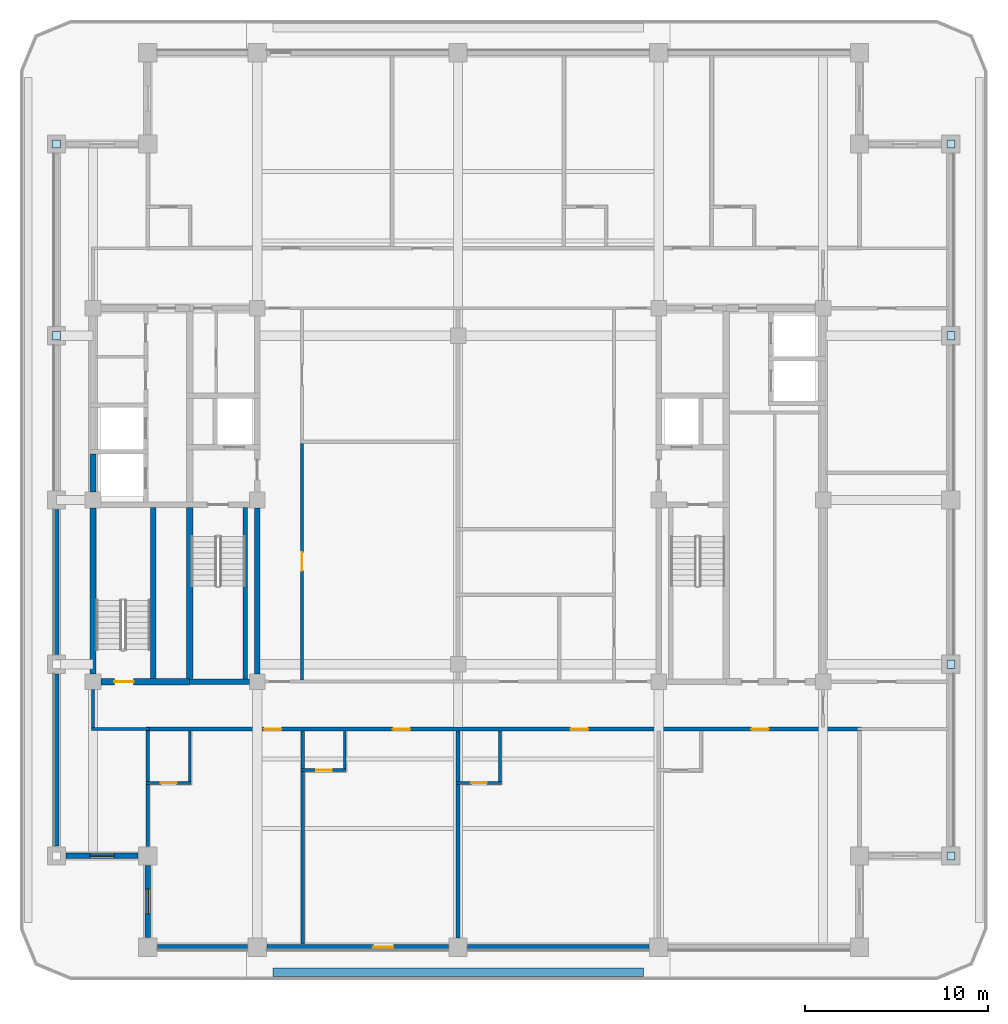
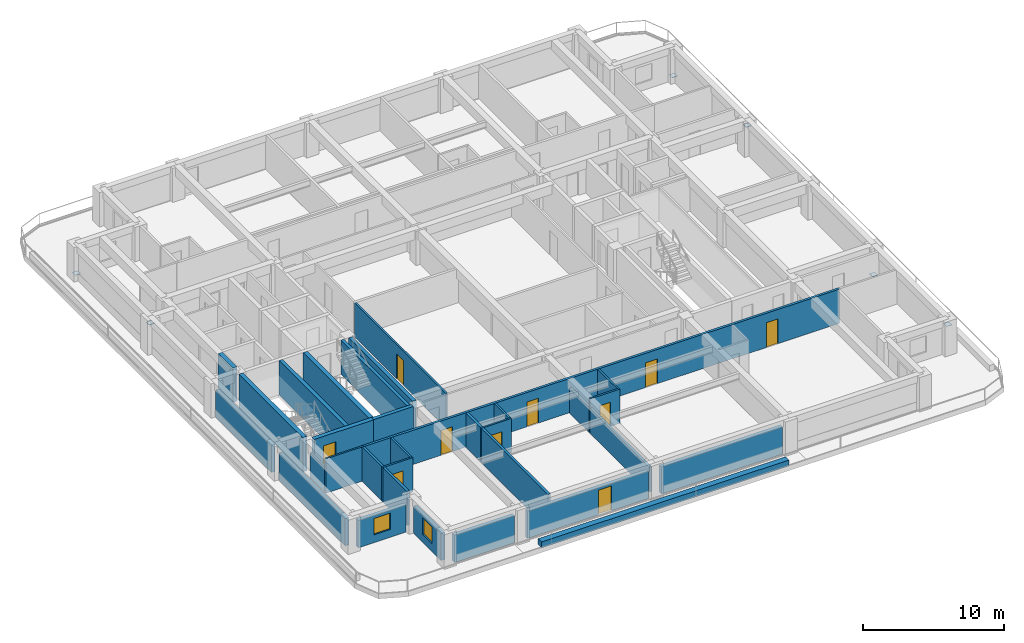
# One storey, part 2 of 13: 32 walls, 10 doors, 6 plates, 2 windows, 12 openings.
"""IFC4 building model written with IfcOpenShell, lengths in metres."""

import ifcopenshell
import ifcopenshell.guid

model = None  # the IFC model being written
_history = None  # IfcOwnerHistory: only IFC2X3 demands one
_inside = {}  # id of a spatial element -> (the spatial element, [elements in it])
_under = {}  # id of a project, library or spatial element -> (it, [spatial elements below it])
_declared = {}  # id of a project -> (the project, [libraries it declares])
_typed = {}  # id of a type object -> (the type object, [elements of that type])
_made_of = {}  # id of a material, layer set ... -> (it, [elements and type objects made of it])


def new_model(schema):
    """Start an empty IFC model of exactly this schema.

    Asked for "IFC4X3", IfcOpenShell would pick the latest addendum, in which some entities
    have other attributes; the version numbers below select the first issue.
    IFC2X3 requires an IfcOwnerHistory on every rooted entity: one is made here for all.
    """
    global model, _history
    if schema == "IFC4X3":
        model = ifcopenshell.file(schema_version=(4, 3, 0, 0))
    else:
        model = ifcopenshell.file(schema=schema)
    _inside.clear()
    _under.clear()
    _declared.clear()
    _typed.clear()
    _made_of.clear()
    _history = None
    if model.schema == "IFC2X3":
        org = make("IfcOrganization", Name="unknown")
        user = make(
            "IfcPersonAndOrganization",
            ThePerson=make("IfcPerson", FamilyName="unknown"),
            TheOrganization=org,
        )
        app = make(
            "IfcApplication",
            ApplicationDeveloper=org,
            Version="unknown",
            ApplicationFullName="unknown",
            ApplicationIdentifier="unknown",
        )
        _history = make(
            "IfcOwnerHistory",
            OwningUser=user,
            OwningApplication=app,
            ChangeAction="ADDED",
            CreationDate=0,
        )
    return model


def make(cls, **values):
    """One entity of the class cls with the attributes given. An attribute that is None is left unset."""
    return model.create_entity(
        cls, **{name: value for name, value in values.items() if value is not None}
    )


def rooted(cls, **values):
    """An entity with a GlobalId (a new one), such as an element, a storey or a relation."""
    return make(cls, GlobalId=ifcopenshell.guid.new(), OwnerHistory=_history, **values)


def si_unit(unit_type, name, prefix=None):
    """IfcSIUnit, for example si_unit("LENGTHUNIT", "METRE", prefix="MILLI")."""
    return make("IfcSIUnit", UnitType=unit_type, Prefix=prefix, Name=name)


def assignment(units):
    """IfcUnitAssignment: the units of a project."""
    return None if units is None else make("IfcUnitAssignment", Units=units)


def point(xyz):
    """IfcCartesianPoint."""
    return None if xyz is None else make("IfcCartesianPoint", Coordinates=xyz)


def direction(xyz):
    """IfcDirection."""
    return None if xyz is None else make("IfcDirection", DirectionRatios=xyz)


def frame(location, z_axis=None, x_axis=None):
    """IfcAxis2Placement3D, a coordinate frame: its origin and axes. An axis left out is left unset."""
    return make(
        "IfcAxis2Placement3D",
        Location=point(location),
        Axis=direction(z_axis),
        RefDirection=direction(x_axis),
    )


def frame_2d(location, x_axis=None):
    """IfcAxis2Placement2D, a coordinate frame in the plane: its origin and x axis."""
    return make(
        "IfcAxis2Placement2D", Location=point(location), RefDirection=direction(x_axis)
    )


def origin():
    """The frame at (0, 0, 0) with its axes left unset."""
    return frame((0.0, 0.0, 0.0))


def origin_2d():
    """The frame at (0, 0) in the plane with its x axis left unset."""
    return frame_2d((0.0, 0.0))


def place(relative_to, where):
    """IfcLocalPlacement: puts the frame where relative to a parent placement (None: the world)."""
    return make(
        "IfcLocalPlacement", PlacementRelTo=relative_to, RelativePlacement=where
    )


def context(
    kind, dimensions, precision=None, world=None, true_north=None, identifier=None
):
    """IfcGeometricRepresentationContext, for example the 3D "Model" context."""
    return make(
        "IfcGeometricRepresentationContext",
        ContextIdentifier=identifier,
        ContextType=kind,
        CoordinateSpaceDimension=dimensions,
        Precision=precision,
        WorldCoordinateSystem=world,
        TrueNorth=true_north,
    )


def subcontext(parent, identifier, kind, view, scale=None):
    """IfcGeometricRepresentationSubContext, for example "Body" below "Model"."""
    return make(
        "IfcGeometricRepresentationSubContext",
        ContextIdentifier=identifier,
        ContextType=kind,
        ParentContext=parent,
        TargetScale=scale,
        TargetView=view,
    )


def project(units=None, contexts=None):
    """IfcProject with its units and contexts."""
    return rooted(
        "IfcProject",
        Name="project",
        RepresentationContexts=contexts,
        UnitsInContext=assignment(units),
    )


def spatial(cls, under=None, at=None, **own):
    """A site, building, storey or space (cls), placed at a placement, below another one or the project."""
    s = rooted(cls, ObjectPlacement=at, **own)
    if under is not None:
        _under.setdefault(under.id(), (under, []))[1].append(s)
    return s


def profile(cls, at=None, kind="AREA", **sizes):
    """A parametric profile (cls). Its sizes go by their IFC names, for example OverallWidth=200.0."""
    return make(cls, ProfileType=kind, Position=at, **sizes)


def rectangle(**sizes):
    """IfcRectangleProfileDef."""
    return profile("IfcRectangleProfileDef", **sizes)


def extrude(swept, where, along, depth):
    """IfcExtrudedAreaSolid: the profile swept, set in the frame where, extruded along a direction by depth."""
    return make(
        "IfcExtrudedAreaSolid",
        SweptArea=swept,
        Position=where,
        ExtrudedDirection=direction(along),
        Depth=depth,
    )


def shape(context_of_items, identifier, shape_type, items):
    """IfcShapeRepresentation: the items that make up one representation, for example the "Body"."""
    return make(
        "IfcShapeRepresentation",
        ContextOfItems=context_of_items,
        RepresentationIdentifier=identifier,
        RepresentationType=shape_type,
        Items=items,
    )


def material(Name=None, Category=None):
    """IfcMaterial."""
    return make("IfcMaterial", Name=Name, Category=Category)


def layer(
    of_material, thickness, ventilated=None, Name=None, Category=None, Priority=None
):
    """IfcMaterialLayer: one layer of a wall or slab, of a material (None: an air gap)."""
    return make(
        "IfcMaterialLayer",
        Material=of_material,
        LayerThickness=thickness,
        IsVentilated=ventilated,
        Name=Name,
        Category=Category,
        Priority=Priority,
    )


def layer_set(layers, Name=None):
    """IfcMaterialLayerSet."""
    return make("IfcMaterialLayerSet", MaterialLayers=layers, LayerSetName=Name)


def made_of(thing, what):
    """Note that an element or type object is made of a material, layer set ...; save() writes the relation."""
    if what is not None:
        _made_of.setdefault(what.id(), (what, []))[1].append(thing)
    return thing


def type_object(cls, material=None, **own):
    """A type object (cls), such as IfcWallType, which elements share."""
    return made_of(rooted(cls, **own), material)


def element(
    cls,
    number,
    at=None,
    inside=None,
    cuts=None,
    type_object=None,
    material=None,
    context=None,
    identifier="Body",
    shape_type=None,
    held_by="IfcProductDefinitionShape",
    body=None,
    shapes=None,
    **own,
):
    """One element of the class cls, such as IfcWall. Its Tag is "e" and its number.

    at: its placement. inside: the storey or other place that contains it. cuts: it is an
    opening in that element (IfcRelVoidsElement). A single representation is given by context,
    identifier, shape_type and body (its items); several are given by shapes. held_by: the class
    of the entity that holds the representations. save() writes the other relations.
    """
    e = rooted(cls, Tag="e%d" % number, ObjectPlacement=at, **own)
    if body is not None:
        shapes = [shape(context, identifier, shape_type, body)]
    if shapes is not None:
        e.Representation = make(held_by, Representations=shapes)
    if inside is not None:
        _inside.setdefault(inside.id(), (inside, []))[1].append(e)
    if cuts is not None:
        rooted(
            "IfcRelVoidsElement", RelatingBuildingElement=cuts, RelatedOpeningElement=e
        )
    if type_object is not None:
        _typed.setdefault(type_object.id(), (type_object, []))[1].append(e)
    return made_of(e, material)


def fill(opening, filler):
    """IfcRelFillsElement: the door or window that sits in an opening."""
    return rooted(
        "IfcRelFillsElement",
        RelatingOpeningElement=opening,
        RelatedBuildingElement=filler,
    )


def aggregate(whole, parts):
    """IfcRelAggregates: a whole, such as a stair, and the parts it consists of."""
    return rooted("IfcRelAggregates", RelatingObject=whole, RelatedObjects=parts)


def save(model, path):
    """Write the relations noted so far, then the file.

    IfcRelAggregates (storeys below a building ...), IfcRelContainedInSpatialStructure (elements
    in a storey), IfcRelDefinesByType, IfcRelAssociatesMaterial and IfcRelDeclares: one each for
    every whole, place, type object, material and project.
    """
    for whole, parts in _under.values():
        aggregate(whole, parts)
    for where, things in _inside.values():
        rooted(
            "IfcRelContainedInSpatialStructure",
            RelatedElements=things,
            RelatingStructure=where,
        )
    for kind, things in _typed.values():
        rooted("IfcRelDefinesByType", RelatedObjects=things, RelatingType=kind)
    for what, things in _made_of.values():
        rooted("IfcRelAssociatesMaterial", RelatedObjects=things, RelatingMaterial=what)
    for by, libraries in _declared.values():
        rooted("IfcRelDeclares", RelatingContext=by, RelatedDefinitions=libraries)
    model.write(path)


model = new_model("IFC4")

# Units and contexts
model_context = context("Model", 3, precision=1e-05, world=origin(), true_north=direction((0.0, 1.0)))
body_context = subcontext(model_context, "Body", "Model", "MODEL_VIEW")
ifc_project = project(units=[si_unit("LENGTHUNIT", "METRE"), si_unit("AREAUNIT", "SQUARE_METRE"), si_unit("VOLUMEUNIT", "CUBIC_METRE"), si_unit("PLANEANGLEUNIT", "RADIAN"), si_unit("MASSUNIT", "GRAM", prefix="KILO")], contexts=[model_context])

# Site, building, storey
site_placement = place(None, origin())
site = spatial("IfcSite", under=ifc_project, at=site_placement, CompositionType="ELEMENT")
building_placement = place(site_placement, origin())
building = spatial("IfcBuilding", under=site, at=building_placement, Name="Zulmaris Gate Convention Tower", CompositionType="ELEMENT")
storey_placement = place(building_placement, frame((0.0, 0.0, 183.059814453125)))
storey = spatial("IfcBuildingStorey", under=building, at=storey_placement, Name="L47", CompositionType="ELEMENT", Elevation=183.059814453125)

# Plates
ifc_material_1 = material(Name="Steel S460", Category="steel")
ifc_layer_1 = layer(ifc_material_1, 0.02490234375, Name="Steel S460")
ifc_layer_set_1 = layer_set([ifc_layer_1], Name="Steel S460")
plate_type = type_object("IfcPlateType", Name="NP-CAP-440", PredefinedType="USERDEFINED", material=ifc_layer_set_1)
for number, where, z_axis, x_axis, name in (
    (1, (-22.0, 19.5, 0.28759765625), (0.0, 0.0, 1.0), (1.0, 0.0, 0.0), "L47 Steel Node Plate PBR-L47-NW-W-CAP"),
    (2, (-22.0, 9.0, 2.3427734375), (0.0, 0.0, 1.0), (1.0, 0.0, 0.0), "L47 Steel Node Plate PBR-L47-NW-W-CAPB"),
    (3, (27.0, -9.0, 0.28759765625), (0.0, 0.0, 1.0), (1.0, 0.0, 0.0), "L47 Steel Node Plate PBR-L47-SE-E-CAP"),
    (4, (27.0, -19.5, 2.3427734375), (0.0, 0.0, 1.0), (1.0, 0.0, 0.0), "L47 Steel Node Plate PBR-L47-SE-E-CAPB"),
    (5, (27.0, 19.5, 0.28759765625), (0.0, 0.0, 1.0), (1.0, 0.0, 0.0), "L47 Steel Node Plate PBR-L47-NE-E-CAP"),
    (6, (27.0, 9.0, 2.3427734375), (0.0, 0.0, 1.0), (1.0, 0.0, 0.0), "L47 Steel Node Plate PBR-L47-NE-E-CAPB"),
):
    element("IfcPlate", number, at=place(storey_placement, frame(where, z_axis=z_axis, x_axis=x_axis)), inside=storey, type_object=plate_type, Name=name, ObjectType="FLANGE PLATE", PredefinedType="USERDEFINED", context=body_context, shape_type="SweptSolid", body=[
        extrude(rectangle(XDim=0.43994140625, YDim=0.43994140625, at=origin_2d()), origin(), (0.0, 0.0, 1.0), 0.02490234375),
    ])

# Walls
ifc_material_2 = material(Name="Concrete C50/60", Category="concrete")
ifc_layer_2 = layer(ifc_material_2, 0.25, Name="Concrete C50/60")
ifc_layer_set_2 = layer_set([ifc_layer_2], Name="Concrete C50/60")
wall_type_1 = type_object("IfcWallType", Name="CORE-250", PredefinedType="SOLIDWALL", material=ifc_layer_set_2)
wall_1_placement = place(storey_placement, frame((-11.64990234375, -9.798095703125, 0.0), z_axis=(0.0, 0.0, 1.0), x_axis=(0.0, 1.0, 0.0)))
element("IfcWall", 7, at=wall_1_placement, inside=storey, type_object=wall_type_1, Name="WL-L47-054", PredefinedType="SOLIDWALL", context=body_context, shape_type="SweptSolid", body=[
    extrude(rectangle(XDim=9.39599609375, YDim=0.25, at=frame_2d((4.697998046875, 0.0))), origin(), (0.0, 0.0, 1.0), 2.97509765625),
])
ifc_layer_3 = layer(ifc_material_2, 0.300048828125, Name="Concrete C50/60")
ifc_layer_set_3 = layer_set([ifc_layer_3], Name="Concrete C50/60")
wall_type_2 = type_object("IfcWallType", Name="CORE-300", PredefinedType="SHEAR", material=ifc_layer_set_3)
wall_2_placement = place(storey_placement, frame((-14.699951171875, -9.949951171875, 0.0), z_axis=(0.0, 0.0, 1.0), x_axis=(1.0, 0.0, 0.0)))
element("IfcWall", 8, at=wall_2_placement, inside=storey, type_object=wall_type_2, Name="WL-L47-002", PredefinedType="SHEAR", context=body_context, shape_type="SweptSolid", body=[
    extrude(rectangle(XDim=3.27099609375, YDim=0.300048828125, at=frame_2d((1.635498046875, 0.0))), origin(), (0.0, 0.0, 1.0), 2.97509765625),
])
wall_3_placement = place(storey_placement, frame((-16.699951171875, -9.77294921875, 0.0), z_axis=(0.0, 0.0, 1.0), x_axis=(0.0, 1.0, 0.0)))
element("IfcWall", 9, at=wall_3_placement, inside=storey, type_object=wall_type_2, Name="WL-L47-048", PredefinedType="SHEAR", context=body_context, shape_type="SweptSolid", body=[
    extrude(rectangle(XDim=9.370849609375, YDim=0.300048828125, at=frame_2d((4.685546875, 0.0))), origin(), (0.0, 0.0, 1.0), 2.97509765625),
])
wall_4_placement = place(storey_placement, frame((-11.0, -9.52099609375, 0.0), z_axis=(0.0, 0.0, 1.0), x_axis=(0.0, 1.0, 0.0)))
element("IfcWall", 10, at=wall_4_placement, inside=storey, type_object=wall_type_2, Name="WL-L47-055", PredefinedType="SHEAR", context=body_context, shape_type="SweptSolid", body=[
    extrude(rectangle(XDim=9.092041015625, YDim=0.300048828125, at=frame_2d((4.5458984375, 0.0))), origin(), (0.0, 0.0, 1.0), 2.97509765625),
])

# Wall, opening, door
ifc_material_3 = material(Name="Concrete C55/67", Category="concrete")
ifc_layer_4 = layer(ifc_material_3, 0.35009765625, Name="Concrete C55/67")
ifc_layer_set_4 = layer_set([ifc_layer_4], Name="Concrete C55/67")
wall_type_3 = type_object("IfcWallType", Name="CORE-350", PredefinedType="SHEAR", material=ifc_layer_set_4)
wall_5_placement = place(storey_placement, frame((-19.571044921875, -9.949951171875, 0.0), z_axis=(0.0, 0.0, 1.0), x_axis=(1.0, 0.0, 0.0)))
wall_5 = element("IfcWall", 11, at=wall_5_placement, inside=storey, type_object=wall_type_3, Name="WL-L47-001", PredefinedType="SHEAR", context=body_context, shape_type="SweptSolid", body=[
    extrude(rectangle(XDim=4.87109375, YDim=0.35009765625, at=frame_2d((2.435546875, 0.0))), origin(), (0.0, 0.0, 1.0), 2.97509765625),
])
opening_1_placement = place(wall_5_placement, frame((0.74609375, 0.0, 0.0)))
opening_1 = element("IfcOpeningElement", 12, at=opening_1_placement, cuts=wall_5, Name="Opening D-09", PredefinedType="OPENING", context=body_context, shape_type="SweptSolid", body=[
    extrude(rectangle(XDim=1.050048828125, YDim=2.14990234375, at=frame_2d((0.52490234375, 1.074951171875))), frame((0.0, 0.18505859375, 0.0), z_axis=(0.0, -1.0, 0.0), x_axis=(1.0, 0.0, 0.0)), (0.0, 0.0, 1.0), 0.3701171875),
])
ifc_material_4 = material(Name="Fire-Rated Steel", Category="steel")
door_type_1 = type_object("IfcDoorType", Name="DR-1050-FD", OperationType="NOTDEFINED", PredefinedType="DOOR", material=ifc_material_4)
door_1_placement = place(opening_1_placement, origin())
door_1 = element("IfcDoor", 13, at=door_1_placement, inside=storey, type_object=door_type_1, Name="L47 Exit Stair ST-3 Door 10", OperationType="SINGLE_SWING_LEFT", OverallHeight=2.14990234375, OverallWidth=1.050048828125, PredefinedType="DOOR", context=body_context, shape_type="SweptSolid", body=[
    extrude(rectangle(XDim=1.050048828125, YDim=2.14990234375, at=frame_2d((0.52490234375, 1.074951171875))), frame((0.0, 0.02490234375, 0.0), z_axis=(0.0, -1.0, 0.0), x_axis=(1.0, 0.0, 0.0)), (0.0, 0.0, 1.0), 0.050048828125),
])
fill(opening_1, door_1)

# Walls
wall_6_placement = place(storey_placement, frame((-20.0, -9.52099609375, 0.0), z_axis=(0.0, 0.0, 1.0), x_axis=(0.0, 1.0, 0.0)))
element("IfcWall", 14, at=wall_6_placement, inside=storey, type_object=wall_type_3, Name="WL-L47-042", PredefinedType="SHEAR", context=body_context, shape_type="SweptSolid", body=[
    extrude(rectangle(XDim=9.092041015625, YDim=0.35009765625, at=frame_2d((4.5458984375, 0.0))), origin(), (0.0, 0.0, 1.0), 2.97509765625),
])
wall_7_placement = place(storey_placement, frame((-20.0, 0.428955078125, 0.0), z_axis=(0.0, 0.0, 1.0), x_axis=(0.0, 1.0, 0.0)))
element("IfcWall", 15, at=wall_7_placement, inside=storey, type_object=wall_type_3, Name="WL-L47-043", PredefinedType="SHEAR", context=body_context, shape_type="SweptSolid", body=[
    extrude(rectangle(XDim=2.093994140625, YDim=0.35009765625, at=frame_2d((1.046875, 0.0))), origin(), (0.0, 0.0, 1.0), 2.97509765625),
])
wall_8_placement = place(storey_placement, frame((-14.699951171875, -9.77294921875, 0.0), z_axis=(0.0, 0.0, 1.0), x_axis=(0.0, 1.0, 0.0)))
element("IfcWall", 16, at=wall_8_placement, inside=storey, type_object=wall_type_3, Name="WL-L47-049", PredefinedType="SHEAR", context=body_context, shape_type="SweptSolid", body=[
    extrude(rectangle(XDim=9.370849609375, YDim=0.35009765625, at=frame_2d((4.685546875, 0.0))), origin(), (0.0, 0.0, 1.0), 2.97509765625),
])

# Wall, opening, door
ifc_material_5 = material(Name="Gypsum Metal Stud Partition")
ifc_layer_5 = layer(ifc_material_5, 0.14990234375, Name="Gypsum Metal Stud Partition")
ifc_layer_set_5 = layer_set([ifc_layer_5], Name="Gypsum Metal Stud Partition")
wall_type_4 = type_object("IfcWallType", Name="PART-150", PredefinedType="PARTITIONING", material=ifc_layer_set_5)
wall_9_placement = place(storey_placement, frame((-17.10009765625, -15.5, 0.0), z_axis=(0.0, 0.0, 1.0), x_axis=(1.0, 0.0, 0.0)))
wall_9 = element("IfcWall", 17, at=wall_9_placement, inside=storey, type_object=wall_type_4, Name="WL-L47-019", PredefinedType="PARTITIONING", context=body_context, shape_type="SweptSolid", body=[
    extrude(rectangle(XDim=2.47509765625, YDim=0.14990234375, at=frame_2d((1.237548828125, 0.0))), origin(), (0.0, 0.0, 1.0), 2.97509765625),
])
opening_2_placement = place(wall_9_placement, frame((0.824951171875, 0.0, 0.0)))
opening_2 = element("IfcOpeningElement", 18, at=opening_2_placement, cuts=wall_9, Name="Opening D-17", PredefinedType="OPENING", context=body_context, shape_type="SweptSolid", body=[
    extrude(rectangle(XDim=0.85009765625, YDim=2.10009765625, at=frame_2d((0.425048828125, 1.050048828125))), frame((0.0, 0.0849609375, 0.0), z_axis=(0.0, -1.0, 0.0), x_axis=(1.0, 0.0, 0.0)), (0.0, 0.0, 1.0), 0.169921875),
])
ifc_material_6 = material(Name="Moisture-Resistant Hardwood Timber", Category="wood")
door_type_2 = type_object("IfcDoorType", Name="DR-850", OperationType="NOTDEFINED", PredefinedType="DOOR", material=ifc_material_6)
door_2_placement = place(opening_2_placement, origin())
door_2 = element("IfcDoor", 19, at=door_2_placement, inside=storey, type_object=door_type_2, Name="L47 En-Suite Door 33", OperationType="SINGLE_SWING_RIGHT", OverallHeight=2.10009765625, OverallWidth=0.85009765625, PredefinedType="DOOR", context=body_context, shape_type="SweptSolid", body=[
    extrude(rectangle(XDim=0.85009765625, YDim=2.10009765625, at=frame_2d((0.425048828125, 1.050048828125))), frame((0.0, 0.02490234375, 0.0), z_axis=(0.0, -1.0, 0.0), x_axis=(1.0, 0.0, 0.0)), (0.0, 0.0, 1.0), 0.050048828125),
])
fill(opening_2, door_2)

wall_10_placement = place(storey_placement, frame((-0.10009765625, -15.5, 0.0), z_axis=(0.0, 0.0, 1.0), x_axis=(1.0, 0.0, 0.0)))
wall_10 = element("IfcWall", 20, at=wall_10_placement, inside=storey, type_object=wall_type_4, Name="WL-L47-020", PredefinedType="PARTITIONING", context=body_context, shape_type="SweptSolid", body=[
    extrude(rectangle(XDim=2.47509765625, YDim=0.14990234375, at=frame_2d((1.237548828125, 0.0))), origin(), (0.0, 0.0, 1.0), 2.97509765625),
])
opening_3_placement = place(wall_10_placement, frame((0.824951171875, 0.0, 0.0)))
opening_3 = element("IfcOpeningElement", 21, at=opening_3_placement, cuts=wall_10, Name="Opening D-17", PredefinedType="OPENING", context=body_context, shape_type="SweptSolid", body=[
    extrude(rectangle(XDim=0.85009765625, YDim=2.10009765625, at=frame_2d((0.425048828125, 1.050048828125))), frame((0.0, 0.0849609375, 0.0), z_axis=(0.0, -1.0, 0.0), x_axis=(1.0, 0.0, 0.0)), (0.0, 0.0, 1.0), 0.169921875),
])
door_3_placement = place(opening_3_placement, origin())
door_3 = element("IfcDoor", 22, at=door_3_placement, inside=storey, type_object=door_type_2, Name="L47 En-Suite Door 37", OperationType="SINGLE_SWING_RIGHT", OverallHeight=2.10009765625, OverallWidth=0.85009765625, PredefinedType="DOOR", context=body_context, shape_type="SweptSolid", body=[
    extrude(rectangle(XDim=0.85009765625, YDim=2.10009765625, at=frame_2d((0.425048828125, 1.050048828125))), frame((0.0, 0.02490234375, 0.0), z_axis=(0.0, -1.0, 0.0), x_axis=(1.0, 0.0, 0.0)), (0.0, 0.0, 1.0), 0.050048828125),
])
fill(opening_3, door_3)

wall_11_placement = place(storey_placement, frame((-8.60009765625, -14.800048828125, 0.0), z_axis=(0.0, 0.0, 1.0), x_axis=(1.0, 0.0, 0.0)))
wall_11 = element("IfcWall", 23, at=wall_11_placement, inside=storey, type_object=wall_type_4, Name="WL-L47-021", PredefinedType="PARTITIONING", context=body_context, shape_type="SweptSolid", body=[
    extrude(rectangle(XDim=2.47509765625, YDim=0.14990234375, at=frame_2d((1.237548828125, 0.0))), origin(), (0.0, 0.0, 1.0), 2.97509765625),
])
opening_4_placement = place(wall_11_placement, frame((0.824951171875, 0.0, 0.0)))
opening_4 = element("IfcOpeningElement", 24, at=opening_4_placement, cuts=wall_11, Name="Opening D-17", PredefinedType="OPENING", context=body_context, shape_type="SweptSolid", body=[
    extrude(rectangle(XDim=0.85009765625, YDim=2.10009765625, at=frame_2d((0.425048828125, 1.050048828125))), frame((0.0, 0.0849609375, 0.0), z_axis=(0.0, -1.0, 0.0), x_axis=(1.0, 0.0, 0.0)), (0.0, 0.0, 1.0), 0.169921875),
])
door_4_placement = place(opening_4_placement, origin())
door_4 = element("IfcDoor", 25, at=door_4_placement, inside=storey, type_object=door_type_2, Name="L47 En-Suite Door 35", OperationType="SINGLE_SWING_RIGHT", OverallHeight=2.10009765625, OverallWidth=0.85009765625, PredefinedType="DOOR", context=body_context, shape_type="SweptSolid", body=[
    extrude(rectangle(XDim=0.85009765625, YDim=2.10009765625, at=frame_2d((0.425048828125, 1.050048828125))), frame((0.0, 0.02490234375, 0.0), z_axis=(0.0, -1.0, 0.0), x_axis=(1.0, 0.0, 0.0)), (0.0, 0.0, 1.0), 0.050048828125),
])
fill(opening_4, door_4)

# Walls
wall_12_placement = place(storey_placement, frame((-20.074951171875, -12.550048828125, 0.0), z_axis=(0.0, 0.0, 1.0), x_axis=(1.0, 0.0, 0.0)))
element("IfcWall", 26, at=wall_12_placement, inside=storey, type_object=wall_type_4, Name="WL-L47-023", PredefinedType="PARTITIONING", context=body_context, shape_type="SweptSolid", body=[
    extrude(rectangle(XDim=3.175048828125, YDim=0.14990234375, at=frame_2d((1.58740234375, 0.0))), origin(), (0.0, 0.0, 1.0), 2.97509765625),
])
wall_13_placement = place(storey_placement, frame((-20.0, -12.471923828125, 0.0), z_axis=(0.0, 0.0, 1.0), x_axis=(0.0, 1.0, 0.0)))
element("IfcWall", 27, at=wall_13_placement, inside=storey, type_object=wall_type_4, Name="WL-L47-074", PredefinedType="PARTITIONING", context=body_context, shape_type="SweptSolid", body=[
    extrude(rectangle(XDim=2.0908203125, YDim=0.14990234375, at=frame_2d((1.04541015625, 0.0))), origin(), (0.0, 0.0, 1.0), 2.167236328125),
])
wall_14_placement = place(storey_placement, frame((-14.699951171875, -15.422119140625, 0.0), z_axis=(0.0, 0.0, 1.0), x_axis=(0.0, 1.0, 0.0)))
element("IfcWall", 28, at=wall_14_placement, inside=storey, type_object=wall_type_4, Name="WL-L47-082", PredefinedType="PARTITIONING", context=body_context, shape_type="SweptSolid", body=[
    extrude(rectangle(XDim=2.76904296875, YDim=0.14990234375, at=frame_2d((1.384521484375, 0.0))), origin(), (0.0, 0.0, 1.0), 2.97509765625),
])

# Wall, opening, door
wall_15_placement = place(storey_placement, frame((-8.550048828125, -9.8720703125, 0.0), z_axis=(0.0, 0.0, 1.0), x_axis=(0.0, 1.0, 0.0)))
wall_15 = element("IfcWall", 29, at=wall_15_placement, inside=storey, type_object=wall_type_4, Name="WL-L47-085", PredefinedType="PARTITIONING", context=body_context, shape_type="SweptSolid", body=[
    extrude(rectangle(XDim=12.968994140625, YDim=0.14990234375, at=frame_2d((6.484375, 0.0))), origin(), (0.0, 0.0, 1.0), 2.97509765625),
])
opening_5_placement = place(wall_15_placement, frame((6.001953125, 0.0, 0.0)))
opening_5 = element("IfcOpeningElement", 30, at=opening_5_placement, cuts=wall_15, Name="Opening D-10", PredefinedType="OPENING", context=body_context, shape_type="SweptSolid", body=[
    extrude(rectangle(XDim=1.0, YDim=2.14990234375, at=frame_2d((0.5, 1.074951171875))), frame((0.0, 0.0849609375, 0.0), z_axis=(0.0, -1.0, 0.0), x_axis=(1.0, 0.0, 0.0)), (0.0, 0.0, 1.0), 0.169921875),
])
ifc_material_7 = material(Name="Fire-Rated Timber", Category="wood")
door_type_3 = type_object("IfcDoorType", Name="DR-1000-FD", OperationType="NOTDEFINED", PredefinedType="DOOR", material=ifc_material_7)
door_5_placement = place(opening_5_placement, origin())
door_5 = element("IfcDoor", 31, at=door_5_placement, inside=storey, type_object=door_type_3, Name="L47 Guest Study Door 41", OperationType="SINGLE_SWING_RIGHT", OverallHeight=2.14990234375, OverallWidth=1.0, PredefinedType="DOOR", context=body_context, shape_type="SweptSolid", body=[
    extrude(rectangle(XDim=1.0, YDim=2.14990234375, at=frame_2d((0.5, 1.074951171875))), frame((0.0, 0.02490234375, 0.0), z_axis=(0.0, -1.0, 0.0), x_axis=(1.0, 0.0, 0.0)), (0.0, 0.0, 1.0), 0.050048828125),
])
fill(opening_5, door_5)

# Walls
wall_16_placement = place(storey_placement, frame((-6.199951171875, -14.721923828125, 0.0), z_axis=(0.0, 0.0, 1.0), x_axis=(0.0, 1.0, 0.0)))
element("IfcWall", 32, at=wall_16_placement, inside=storey, type_object=wall_type_4, Name="WL-L47-089", PredefinedType="PARTITIONING", context=body_context, shape_type="SweptSolid", body=[
    extrude(rectangle(XDim=2.06884765625, YDim=0.14990234375, at=frame_2d((1.034423828125, 0.0))), origin(), (0.0, 0.0, 1.0), 2.97509765625),
])
wall_17_placement = place(storey_placement, frame((2.300048828125, -15.422119140625, 0.0), z_axis=(0.0, 0.0, 1.0), x_axis=(0.0, 1.0, 0.0)))
element("IfcWall", 33, at=wall_17_placement, inside=storey, type_object=wall_type_4, Name="WL-L47-097", PredefinedType="PARTITIONING", context=body_context, shape_type="SweptSolid", body=[
    extrude(rectangle(XDim=2.76904296875, YDim=0.14990234375, at=frame_2d((1.384521484375, 0.0))), origin(), (0.0, 0.0, 1.0), 2.97509765625),
])

# Wall, openings, doors
ifc_material_8 = material(Name="Autoclaved Aerated Concrete Block and Plasterboard", Category="concrete")
ifc_layer_6 = layer(ifc_material_8, 0.199951171875, Name="Autoclaved Aerated Concrete Block and Plasterboard")
ifc_layer_set_6 = layer_set([ifc_layer_6], Name="Autoclaved Aerated Concrete Block and Plasterboard")
wall_type_5 = type_object("IfcWallType", Name="PART-200", PredefinedType="PARTITIONING", material=ifc_layer_set_6)
wall_18_placement = place(storey_placement, frame((-17.10009765625, -12.550048828125, 0.0), z_axis=(0.0, 0.0, 1.0), x_axis=(1.0, 0.0, 0.0)))
wall_18 = element("IfcWall", 34, at=wall_18_placement, inside=storey, type_object=wall_type_5, Name="WL-L47-024", PredefinedType="PARTITIONING", context=body_context, shape_type="SweptSolid", body=[
    extrude(rectangle(XDim=39.2001953125, YDim=0.199951171875, at=frame_2d((19.60009765625, 0.0))), origin(), (0.0, 0.0, 1.0), 2.97509765625),
])
opening_6_placement = place(wall_18_placement, frame((6.47509765625, 0.0, 0.0)))
opening_6 = element("IfcOpeningElement", 35, at=opening_6_placement, cuts=wall_18, Name="Opening D-11", PredefinedType="OPENING", context=body_context, shape_type="SweptSolid", body=[
    extrude(rectangle(XDim=0.949951171875, YDim=2.14990234375, at=frame_2d((0.47509765625, 1.074951171875))), frame((0.0, 0.10986328125, 0.0), z_axis=(0.0, -1.0, 0.0), x_axis=(1.0, 0.0, 0.0)), (0.0, 0.0, 1.0), 0.219970703125),
])
opening_7_placement = place(wall_18_placement, frame((13.52490234375, 0.0, 0.0)))
opening_7 = element("IfcOpeningElement", 36, at=opening_7_placement, cuts=wall_18, Name="Opening D-11", PredefinedType="OPENING", context=body_context, shape_type="SweptSolid", body=[
    extrude(rectangle(XDim=0.949951171875, YDim=2.14990234375, at=frame_2d((0.47509765625, 1.074951171875))), frame((0.0, 0.10986328125, 0.0), z_axis=(0.0, -1.0, 0.0), x_axis=(1.0, 0.0, 0.0)), (0.0, 0.0, 1.0), 0.219970703125),
])
opening_8_placement = place(wall_18_placement, frame((23.27490234375, 0.0, 0.0)))
opening_8 = element("IfcOpeningElement", 37, at=opening_8_placement, cuts=wall_18, Name="Opening D-11", PredefinedType="OPENING", context=body_context, shape_type="SweptSolid", body=[
    extrude(rectangle(XDim=0.949951171875, YDim=2.14990234375, at=frame_2d((0.47509765625, 1.074951171875))), frame((0.0, 0.10986328125, 0.0), z_axis=(0.0, -1.0, 0.0), x_axis=(1.0, 0.0, 0.0)), (0.0, 0.0, 1.0), 0.219970703125),
])
opening_9_placement = place(wall_18_placement, frame((33.175048828125, 0.0, 0.0)))
opening_9 = element("IfcOpeningElement", 38, at=opening_9_placement, cuts=wall_18, Name="Opening D-11", PredefinedType="OPENING", context=body_context, shape_type="SweptSolid", body=[
    extrude(rectangle(XDim=0.949951171875, YDim=2.14990234375, at=frame_2d((0.47509765625, 1.074951171875))), frame((0.0, 0.10986328125, 0.0), z_axis=(0.0, -1.0, 0.0), x_axis=(1.0, 0.0, 0.0)), (0.0, 0.0, 1.0), 0.219970703125),
])
door_type_4 = type_object("IfcDoorType", Name="DR-950-FD", OperationType="NOTDEFINED", PredefinedType="DOOR", material=ifc_material_7)
door_6_placement = place(opening_6_placement, origin())
door_6 = element("IfcDoor", 39, at=door_6_placement, inside=storey, type_object=door_type_4, Name="L47 Hotel Executive Suite Door 32", OperationType="SINGLE_SWING_LEFT", OverallHeight=2.14990234375, OverallWidth=0.949951171875, PredefinedType="DOOR", context=body_context, shape_type="SweptSolid", body=[
    extrude(rectangle(XDim=0.949951171875, YDim=2.14990234375, at=frame_2d((0.47509765625, 1.074951171875))), frame((0.0, 0.02490234375, 0.0), z_axis=(0.0, -1.0, 0.0), x_axis=(1.0, 0.0, 0.0)), (0.0, 0.0, 1.0), 0.050048828125),
])
fill(opening_6, door_6)
door_7_placement = place(opening_7_placement, origin())
door_7 = element("IfcDoor", 40, at=door_7_placement, inside=storey, type_object=door_type_4, Name="L47 Hotel Executive Suite Door 34", OperationType="SINGLE_SWING_LEFT", OverallHeight=2.14990234375, OverallWidth=0.949951171875, PredefinedType="DOOR", context=body_context, shape_type="SweptSolid", body=[
    extrude(rectangle(XDim=0.949951171875, YDim=2.14990234375, at=frame_2d((0.47509765625, 1.074951171875))), frame((0.0, 0.02490234375, 0.0), z_axis=(0.0, -1.0, 0.0), x_axis=(1.0, 0.0, 0.0)), (0.0, 0.0, 1.0), 0.050048828125),
])
fill(opening_7, door_7)
door_8_placement = place(opening_8_placement, origin())
door_8 = element("IfcDoor", 41, at=door_8_placement, inside=storey, type_object=door_type_4, Name="L47 Hotel Executive Suite Door 36", OperationType="SINGLE_SWING_LEFT", OverallHeight=2.14990234375, OverallWidth=0.949951171875, PredefinedType="DOOR", context=body_context, shape_type="SweptSolid", body=[
    extrude(rectangle(XDim=0.949951171875, YDim=2.14990234375, at=frame_2d((0.47509765625, 1.074951171875))), frame((0.0, 0.02490234375, 0.0), z_axis=(0.0, -1.0, 0.0), x_axis=(1.0, 0.0, 0.0)), (0.0, 0.0, 1.0), 0.050048828125),
])
fill(opening_8, door_8)
door_9_placement = place(opening_9_placement, origin())
door_9 = element("IfcDoor", 42, at=door_9_placement, inside=storey, type_object=door_type_4, Name="L47 Hotel Executive Suite Door 38", OperationType="SINGLE_SWING_LEFT", OverallHeight=2.14990234375, OverallWidth=0.949951171875, PredefinedType="DOOR", context=body_context, shape_type="SweptSolid", body=[
    extrude(rectangle(XDim=0.949951171875, YDim=2.14990234375, at=frame_2d((0.47509765625, 1.074951171875))), frame((0.0, 0.02490234375, 0.0), z_axis=(0.0, -1.0, 0.0), x_axis=(1.0, 0.0, 0.0)), (0.0, 0.0, 1.0), 0.050048828125),
])
fill(opening_9, door_9)

# Walls
wall_19_placement = place(storey_placement, frame((-17.0, -18.993896484375, 0.0), z_axis=(0.0, 0.0, 1.0), x_axis=(0.0, 1.0, 0.0)))
element("IfcWall", 43, at=wall_19_placement, inside=storey, type_object=wall_type_5, Name="WL-L47-078", PredefinedType="PARTITIONING", context=body_context, shape_type="SweptSolid", body=[
    extrude(rectangle(XDim=3.416015625, YDim=0.199951171875, at=frame_2d((1.7080078125, 0.0))), origin(), (0.0, 0.0, 1.0), 2.97509765625),
])
wall_20_placement = place(storey_placement, frame((-17.0, -15.422119140625, 0.0), z_axis=(0.0, 0.0, 1.0), x_axis=(0.0, 1.0, 0.0)))
element("IfcWall", 44, at=wall_20_placement, inside=storey, type_object=wall_type_5, Name="WL-L47-079", PredefinedType="PARTITIONING", context=body_context, shape_type="SweptSolid", body=[
    extrude(rectangle(XDim=2.76904296875, YDim=0.199951171875, at=frame_2d((1.384521484375, 0.0))), origin(), (0.0, 0.0, 1.0), 2.97509765625),
])
wall_21_placement = place(storey_placement, frame((-8.5, -24.3349609375, 0.0), z_axis=(0.0, 0.0, 1.0), x_axis=(0.0, 1.0, 0.0)))
element("IfcWall", 45, at=wall_21_placement, inside=storey, type_object=wall_type_5, Name="WL-L47-087", PredefinedType="PARTITIONING", context=body_context, shape_type="SweptSolid", body=[
    extrude(rectangle(XDim=9.45703125, YDim=0.199951171875, at=frame_2d((4.728515625, 0.0))), origin(), (0.0, 0.0, 1.0), 2.97509765625),
])
wall_22_placement = place(storey_placement, frame((-8.5, -14.721923828125, 0.0), z_axis=(0.0, 0.0, 1.0), x_axis=(0.0, 1.0, 0.0)))
element("IfcWall", 46, at=wall_22_placement, inside=storey, type_object=wall_type_5, Name="WL-L47-088", PredefinedType="PARTITIONING", context=body_context, shape_type="SweptSolid", body=[
    extrude(rectangle(XDim=2.06884765625, YDim=0.199951171875, at=frame_2d((1.034423828125, 0.0))), origin(), (0.0, 0.0, 1.0), 2.97509765625),
])
wall_23_placement = place(storey_placement, frame((0.0, -23.993896484375, 0.0), z_axis=(0.0, 0.0, 1.0), x_axis=(0.0, 1.0, 0.0)))
element("IfcWall", 47, at=wall_23_placement, inside=storey, type_object=wall_type_5, Name="WL-L47-091", PredefinedType="PARTITIONING", context=body_context, shape_type="SweptSolid", body=[
    extrude(rectangle(XDim=8.416015625, YDim=0.199951171875, at=frame_2d((4.2080078125, 0.0))), origin(), (0.0, 0.0, 1.0), 2.167236328125),
])
wall_24_placement = place(storey_placement, frame((0.0, -15.422119140625, 0.0), z_axis=(0.0, 0.0, 1.0), x_axis=(0.0, 1.0, 0.0)))
element("IfcWall", 48, at=wall_24_placement, inside=storey, type_object=wall_type_5, Name="WL-L47-092", PredefinedType="PARTITIONING", context=body_context, shape_type="SweptSolid", body=[
    extrude(rectangle(XDim=2.76904296875, YDim=0.199951171875, at=frame_2d((1.384521484375, 0.0))), origin(), (0.0, 0.0, 1.0), 2.167236328125),
])
ifc_material_9 = material(Name="Botanical Green Glazed Precast Concrete C40/50", Category="concrete")
ifc_layer_7 = layer(ifc_material_9, 0.419921875, Name="Botanical Green Glazed Precast Concrete C40/50")
ifc_layer_set_7 = layer_set([ifc_layer_7], Name="Botanical Green Glazed Precast Concrete C40/50")
wall_type_6 = type_object("IfcWallType", Name="PLANTER-CURB-200", PredefinedType="PARAPET", material=ifc_layer_set_7)
wall_25_placement = place(storey_placement, frame((-10.14990234375, -25.8798828125, -0.0400390625), z_axis=(0.0, 0.0, 1.0), x_axis=(1.0, 0.0, 0.0)))
element("IfcWall", 49, at=wall_25_placement, inside=storey, type_object=wall_type_6, Name="L47 Full-Length Balcony Tree Planter Trough", PredefinedType="PARAPET", context=body_context, shape_type="SweptSolid", body=[
    extrude(rectangle(XDim=20.2998046875, YDim=0.47998046875, at=frame_2d((10.14990234375, 0.0))), origin(), (0.0, 0.0, 1.0), 0.52001953125),
])

# Wall, opening, window
ifc_material_10 = material(Name="Precast concrete C40/50", Category="concrete")
ifc_layer_8 = layer(ifc_material_10, 0.300048828125, Name="Precast concrete C40/50")
ifc_layer_set_8 = layer_set([ifc_layer_8], Name="Precast concrete C40/50")
wall_type_7 = type_object("IfcWallType", Name="PRECAST-PIER-300", PredefinedType="STANDARD", material=ifc_layer_set_8)
wall_26_placement = place(storey_placement, frame((-21.469970703125, -19.5, 0.0), z_axis=(0.0, 0.0, 1.0), x_axis=(1.0, 0.0, 0.0)))
wall_26 = element("IfcWall", 50, at=wall_26_placement, inside=storey, type_object=wall_type_7, Name="EW-L47-NOTCH-SW1_0", PredefinedType="STANDARD", context=body_context, shape_type="SweptSolid", body=[
    extrude(rectangle(XDim=3.93994140625, YDim=0.300048828125, at=frame_2d((1.969970703125, 0.0))), origin(), (0.0, 0.0, 1.0), 2.3671875),
])
opening_10_placement = place(wall_26_placement, frame((1.294921875, 0.0, 0.679931640625)))
opening_10 = element("IfcOpeningElement", 51, at=opening_10_placement, cuts=wall_26, Name="Opening W-10", PredefinedType="OPENING", context=body_context, shape_type="SweptSolid", body=[
    extrude(rectangle(XDim=1.35009765625, YDim=1.419921875, at=frame_2d((0.675048828125, 0.7099609375))), frame((0.0, 0.16015625, 0.0), z_axis=(0.0, -1.0, 0.0), x_axis=(1.0, 0.0, 0.0)), (0.0, 0.0, 1.0), 0.320068359375),
])
ifc_material_11 = material(Name="Low-E Laminated Double Glazing in Aluminium Frame", Category="aluminium")
window_type = type_object("IfcWindowType", Name="WIN-1350x2000", PartitioningType="SINGLE_PANEL", PredefinedType="WINDOW", material=ifc_material_11)
window_1_placement = place(opening_10_placement, origin())
window_1 = element("IfcWindow", 52, at=window_1_placement, inside=storey, type_object=window_type, Name="WN-EW-L47-NOTCH-SW1_0", OverallHeight=1.419921875, OverallWidth=1.35009765625, PartitioningType="SINGLE_PANEL", PredefinedType="WINDOW", context=body_context, shape_type="SweptSolid", body=[
    extrude(rectangle(XDim=1.35009765625, YDim=1.419921875, at=frame_2d((0.675048828125, 0.7099609375))), frame((0.0, 0.030029296875, 0.0), z_axis=(0.0, -1.0, 0.0), x_axis=(1.0, 0.0, 0.0)), (0.0, 0.0, 1.0), 0.06005859375),
])
fill(opening_10, window_1)

wall_27_placement = place(storey_placement, frame((-17.0, -20.030029296875, 0.0), z_axis=(0.0, 0.0, 1.0), x_axis=(0.0, -1.0, 0.0)))
wall_27 = element("IfcWall", 53, at=wall_27_placement, inside=storey, type_object=wall_type_7, Name="EW-L47-NOTCH-SW2_0", PredefinedType="STANDARD", context=body_context, shape_type="SweptSolid", body=[
    extrude(rectangle(XDim=3.93994140625, YDim=0.300048828125, at=frame_2d((1.969970703125, 0.0))), origin(), (0.0, 0.0, 1.0), 2.3671875),
])
opening_11_placement = place(wall_27_placement, frame((1.294921875, 0.0, 0.679931640625)))
opening_11 = element("IfcOpeningElement", 54, at=opening_11_placement, cuts=wall_27, Name="Opening W-10", PredefinedType="OPENING", context=body_context, shape_type="SweptSolid", body=[
    extrude(rectangle(XDim=1.35009765625, YDim=1.419921875, at=frame_2d((0.675048828125, 0.7099609375))), frame((0.0, 0.16015625, 0.0), z_axis=(0.0, -1.0, 0.0), x_axis=(1.0, 0.0, 0.0)), (0.0, 0.0, 1.0), 0.320068359375),
])
window_2_placement = place(opening_11_placement, origin())
window_2 = element("IfcWindow", 55, at=window_2_placement, inside=storey, type_object=window_type, Name="WN-EW-L47-NOTCH-SW2_0", OverallHeight=1.419921875, OverallWidth=1.35009765625, PartitioningType="SINGLE_PANEL", PredefinedType="WINDOW", context=body_context, shape_type="SweptSolid", body=[
    extrude(rectangle(XDim=1.35009765625, YDim=1.419921875, at=frame_2d((0.675048828125, 0.7099609375))), frame((0.0, 0.030029296875, 0.0), z_axis=(0.0, -1.0, 0.0), x_axis=(1.0, 0.0, 0.0)), (0.0, 0.0, 1.0), 0.06005859375),
])
fill(opening_11, window_2)

# Wall
wall_28_placement = place(storey_placement, frame((-16.469970703125, -24.5, 0.0), z_axis=(0.0, 0.0, 1.0), x_axis=(1.0, 0.0, 0.0)))
element("IfcWall", 56, at=wall_28_placement, inside=storey, type_object=wall_type_7, Name="EW-L47-S-0_0", PredefinedType="STANDARD", context=body_context, shape_type="SweptSolid", body=[
    extrude(rectangle(XDim=4.93994140625, YDim=0.300048828125, at=frame_2d((2.469970703125, 0.0))), origin(), (0.0, 0.0, 1.0), 2.3671875),
])

# Wall, opening, door
wall_29_placement = place(storey_placement, frame((-10.469970703125, -24.5, 0.0), z_axis=(0.0, 0.0, 1.0), x_axis=(1.0, 0.0, 0.0)))
wall_29 = element("IfcWall", 57, at=wall_29_placement, inside=storey, type_object=wall_type_7, Name="EW-L47-S-1_0", PredefinedType="STANDARD", context=body_context, shape_type="SweptSolid", body=[
    extrude(rectangle(XDim=9.93994140625, YDim=0.300048828125, at=frame_2d((4.969970703125, 0.0))), origin(), (0.0, 0.0, 1.0), 2.3671875),
])
opening_12_placement = place(wall_29_placement, frame((5.826904296875, 0.0, 0.0)))
opening_12 = element("IfcOpeningElement", 58, at=opening_12_placement, cuts=wall_29, Name="Opening D-04", PredefinedType="OPENING", context=body_context, shape_type="SweptSolid", body=[
    extrude(rectangle(XDim=1.10009765625, YDim=2.14990234375, at=frame_2d((0.550048828125, 1.074951171875))), frame((0.0, 0.16015625, 0.0), z_axis=(0.0, -1.0, 0.0), x_axis=(1.0, 0.0, 0.0)), (0.0, 0.0, 1.0), 0.320068359375),
])
ifc_material_12 = material(Name="Anodised Aluminium and Laminated Glass", Category="aluminium")
door_type_5 = type_object("IfcDoorType", Name="ED-1100", OperationType="SINGLE_SWING_RIGHT", PredefinedType="DOOR", material=ifc_material_12)
door_10_placement = place(opening_12_placement, origin())
door_10 = element("IfcDoor", 59, at=door_10_placement, inside=storey, type_object=door_type_5, Name="L47 S Planted Terrace Door", OperationType="SINGLE_SWING_RIGHT", OverallHeight=2.14990234375, OverallWidth=1.10009765625, PredefinedType="DOOR", context=body_context, shape_type="SweptSolid", body=[
    extrude(rectangle(XDim=1.10009765625, YDim=2.14990234375, at=frame_2d((0.550048828125, 1.074951171875))), frame((0.0, 0.02490234375, 0.0), z_axis=(0.0, -1.0, 0.0), x_axis=(1.0, 0.0, 0.0)), (0.0, 0.0, 1.0), 0.050048828125),
])
fill(opening_12, door_10)

# Walls
wall_30_placement = place(storey_placement, frame((0.530029296875, -24.5, 0.0), z_axis=(0.0, 0.0, 1.0), x_axis=(1.0, 0.0, 0.0)))
element("IfcWall", 60, at=wall_30_placement, inside=storey, type_object=wall_type_7, Name="EW-L47-S-2_0", PredefinedType="STANDARD", context=body_context, shape_type="SweptSolid", body=[
    extrude(rectangle(XDim=9.93994140625, YDim=0.300048828125, at=frame_2d((4.969970703125, 0.0))), origin(), (0.0, 0.0, 1.0), 2.3671875),
])
wall_31_placement = place(storey_placement, frame((-22.0, -9.530029296875, 0.0), z_axis=(0.0, 0.0, 1.0), x_axis=(0.0, -1.0, 0.0)))
element("IfcWall", 61, at=wall_31_placement, inside=storey, type_object=wall_type_7, Name="EW-L47-W-0_0", PredefinedType="STANDARD", context=body_context, shape_type="SweptSolid", body=[
    extrude(rectangle(XDim=9.43994140625, YDim=0.300048828125, at=frame_2d((4.719970703125, 0.0))), origin(), (0.0, 0.0, 1.0), 2.3671875),
])
wall_32_placement = place(storey_placement, frame((-22.0, -0.530029296875, 0.0), z_axis=(0.0, 0.0, 1.0), x_axis=(0.0, -1.0, 0.0)))
element("IfcWall", 62, at=wall_32_placement, inside=storey, type_object=wall_type_7, Name="EW-L47-W-1_0", PredefinedType="STANDARD", context=body_context, shape_type="SweptSolid", body=[
    extrude(rectangle(XDim=7.93994140625, YDim=0.300048828125, at=frame_2d((3.969970703125, 0.0))), origin(), (0.0, 0.0, 1.0), 2.3671875),
])

save(model, "model.ifc")
